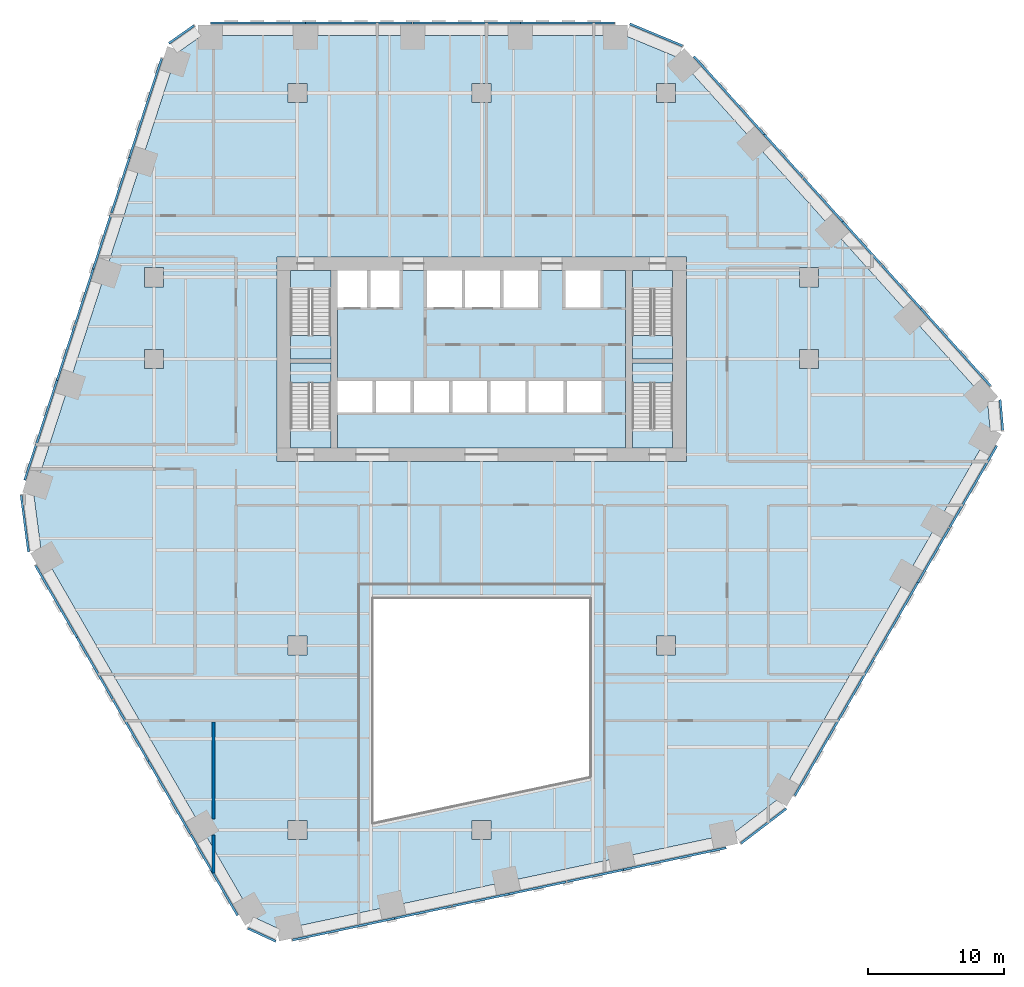
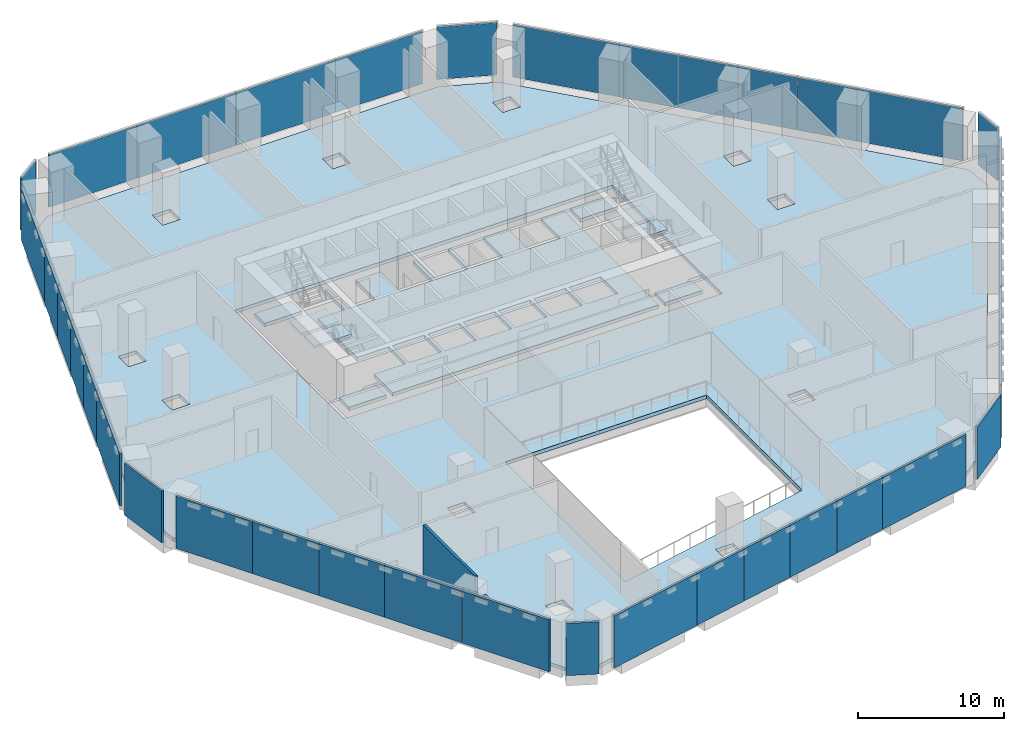
# One storey, part 13 of 19: 38 plates, 10 slabs, 2 walls, 16 elements without a shape of their own.
"""IFC4 building model written with IfcOpenShell, lengths in metres."""

import ifcopenshell
import ifcopenshell.guid

model = None  # the IFC model being written
_history = None  # IfcOwnerHistory: only IFC2X3 demands one
_inside = {}  # id of a spatial element -> (the spatial element, [elements in it])
_under = {}  # id of a project, library or spatial element -> (it, [spatial elements below it])
_declared = {}  # id of a project -> (the project, [libraries it declares])
_typed = {}  # id of a type object -> (the type object, [elements of that type])
_made_of = {}  # id of a material, layer set ... -> (it, [elements and type objects made of it])


def new_model(schema):
    """Start an empty IFC model of exactly this schema.

    Asked for "IFC4X3", IfcOpenShell would pick the latest addendum, in which some entities
    have other attributes; the version numbers below select the first issue.
    IFC2X3 requires an IfcOwnerHistory on every rooted entity: one is made here for all.
    """
    global model, _history
    if schema == "IFC4X3":
        model = ifcopenshell.file(schema_version=(4, 3, 0, 0))
    else:
        model = ifcopenshell.file(schema=schema)
    _inside.clear()
    _under.clear()
    _declared.clear()
    _typed.clear()
    _made_of.clear()
    _history = None
    if model.schema == "IFC2X3":
        org = make("IfcOrganization", Name="unknown")
        user = make(
            "IfcPersonAndOrganization",
            ThePerson=make("IfcPerson", FamilyName="unknown"),
            TheOrganization=org,
        )
        app = make(
            "IfcApplication",
            ApplicationDeveloper=org,
            Version="unknown",
            ApplicationFullName="unknown",
            ApplicationIdentifier="unknown",
        )
        _history = make(
            "IfcOwnerHistory",
            OwningUser=user,
            OwningApplication=app,
            ChangeAction="ADDED",
            CreationDate=0,
        )
    return model


def make(cls, **values):
    """One entity of the class cls with the attributes given. An attribute that is None is left unset."""
    return model.create_entity(
        cls, **{name: value for name, value in values.items() if value is not None}
    )


def rooted(cls, **values):
    """An entity with a GlobalId (a new one), such as an element, a storey or a relation."""
    return make(cls, GlobalId=ifcopenshell.guid.new(), OwnerHistory=_history, **values)


def si_unit(unit_type, name, prefix=None):
    """IfcSIUnit, for example si_unit("LENGTHUNIT", "METRE", prefix="MILLI")."""
    return make("IfcSIUnit", UnitType=unit_type, Prefix=prefix, Name=name)


def assignment(units):
    """IfcUnitAssignment: the units of a project."""
    return None if units is None else make("IfcUnitAssignment", Units=units)


def point(xyz):
    """IfcCartesianPoint."""
    return None if xyz is None else make("IfcCartesianPoint", Coordinates=xyz)


def direction(xyz):
    """IfcDirection."""
    return None if xyz is None else make("IfcDirection", DirectionRatios=xyz)


def frame(location, z_axis=None, x_axis=None):
    """IfcAxis2Placement3D, a coordinate frame: its origin and axes. An axis left out is left unset."""
    return make(
        "IfcAxis2Placement3D",
        Location=point(location),
        Axis=direction(z_axis),
        RefDirection=direction(x_axis),
    )


def frame_2d(location, x_axis=None):
    """IfcAxis2Placement2D, a coordinate frame in the plane: its origin and x axis."""
    return make(
        "IfcAxis2Placement2D", Location=point(location), RefDirection=direction(x_axis)
    )


def origin():
    """The frame at (0, 0, 0) with its axes left unset."""
    return frame((0.0, 0.0, 0.0))


def origin_2d():
    """The frame at (0, 0) in the plane with its x axis left unset."""
    return frame_2d((0.0, 0.0))


def place(relative_to, where):
    """IfcLocalPlacement: puts the frame where relative to a parent placement (None: the world)."""
    return make(
        "IfcLocalPlacement", PlacementRelTo=relative_to, RelativePlacement=where
    )


def context(
    kind, dimensions, precision=None, world=None, true_north=None, identifier=None
):
    """IfcGeometricRepresentationContext, for example the 3D "Model" context."""
    return make(
        "IfcGeometricRepresentationContext",
        ContextIdentifier=identifier,
        ContextType=kind,
        CoordinateSpaceDimension=dimensions,
        Precision=precision,
        WorldCoordinateSystem=world,
        TrueNorth=true_north,
    )


def subcontext(parent, identifier, kind, view, scale=None):
    """IfcGeometricRepresentationSubContext, for example "Body" below "Model"."""
    return make(
        "IfcGeometricRepresentationSubContext",
        ContextIdentifier=identifier,
        ContextType=kind,
        ParentContext=parent,
        TargetScale=scale,
        TargetView=view,
    )


def project(units=None, contexts=None):
    """IfcProject with its units and contexts."""
    return rooted(
        "IfcProject",
        Name="project",
        RepresentationContexts=contexts,
        UnitsInContext=assignment(units),
    )


def spatial(cls, under=None, at=None, **own):
    """A site, building, storey or space (cls), placed at a placement, below another one or the project."""
    s = rooted(cls, ObjectPlacement=at, **own)
    if under is not None:
        _under.setdefault(under.id(), (under, []))[1].append(s)
    return s


def polyline(points):
    """IfcPolyline through the points."""
    return make("IfcPolyline", Points=[point(p) for p in points])


def profile(cls, at=None, kind="AREA", **sizes):
    """A parametric profile (cls). Its sizes go by their IFC names, for example OverallWidth=200.0."""
    return make(cls, ProfileType=kind, Position=at, **sizes)


def rectangle(**sizes):
    """IfcRectangleProfileDef."""
    return profile("IfcRectangleProfileDef", **sizes)


def outline(outer, holes=None, kind="AREA"):
    """IfcArbitraryClosedProfileDef: a profile drawn as a closed curve; with holes, ...WithVoids."""
    if holes is None:
        return make("IfcArbitraryClosedProfileDef", ProfileType=kind, OuterCurve=outer)
    return make(
        "IfcArbitraryProfileDefWithVoids",
        ProfileType=kind,
        OuterCurve=outer,
        InnerCurves=holes,
    )


def extrude(swept, where, along, depth):
    """IfcExtrudedAreaSolid: the profile swept, set in the frame where, extruded along a direction by depth."""
    return make(
        "IfcExtrudedAreaSolid",
        SweptArea=swept,
        Position=where,
        ExtrudedDirection=direction(along),
        Depth=depth,
    )


def shape(context_of_items, identifier, shape_type, items):
    """IfcShapeRepresentation: the items that make up one representation, for example the "Body"."""
    return make(
        "IfcShapeRepresentation",
        ContextOfItems=context_of_items,
        RepresentationIdentifier=identifier,
        RepresentationType=shape_type,
        Items=items,
    )


def material(Name=None, Category=None):
    """IfcMaterial."""
    return make("IfcMaterial", Name=Name, Category=Category)


def layer(
    of_material, thickness, ventilated=None, Name=None, Category=None, Priority=None
):
    """IfcMaterialLayer: one layer of a wall or slab, of a material (None: an air gap)."""
    return make(
        "IfcMaterialLayer",
        Material=of_material,
        LayerThickness=thickness,
        IsVentilated=ventilated,
        Name=Name,
        Category=Category,
        Priority=Priority,
    )


def layer_set(layers, Name=None):
    """IfcMaterialLayerSet."""
    return make("IfcMaterialLayerSet", MaterialLayers=layers, LayerSetName=Name)


def made_of(thing, what):
    """Note that an element or type object is made of a material, layer set ...; save() writes the relation."""
    if what is not None:
        _made_of.setdefault(what.id(), (what, []))[1].append(thing)
    return thing


def type_object(cls, material=None, **own):
    """A type object (cls), such as IfcWallType, which elements share."""
    return made_of(rooted(cls, **own), material)


def element(
    cls,
    number,
    at=None,
    inside=None,
    cuts=None,
    type_object=None,
    material=None,
    context=None,
    identifier="Body",
    shape_type=None,
    held_by="IfcProductDefinitionShape",
    body=None,
    shapes=None,
    **own,
):
    """One element of the class cls, such as IfcWall. Its Tag is "e" and its number.

    at: its placement. inside: the storey or other place that contains it. cuts: it is an
    opening in that element (IfcRelVoidsElement). A single representation is given by context,
    identifier, shape_type and body (its items); several are given by shapes. held_by: the class
    of the entity that holds the representations. save() writes the other relations.
    """
    e = rooted(cls, Tag="e%d" % number, ObjectPlacement=at, **own)
    if body is not None:
        shapes = [shape(context, identifier, shape_type, body)]
    if shapes is not None:
        e.Representation = make(held_by, Representations=shapes)
    if inside is not None:
        _inside.setdefault(inside.id(), (inside, []))[1].append(e)
    if cuts is not None:
        rooted(
            "IfcRelVoidsElement", RelatingBuildingElement=cuts, RelatedOpeningElement=e
        )
    if type_object is not None:
        _typed.setdefault(type_object.id(), (type_object, []))[1].append(e)
    return made_of(e, material)


def aggregate(whole, parts):
    """IfcRelAggregates: a whole, such as a stair, and the parts it consists of."""
    return rooted("IfcRelAggregates", RelatingObject=whole, RelatedObjects=parts)


def save(model, path):
    """Write the relations noted so far, then the file.

    IfcRelAggregates (storeys below a building ...), IfcRelContainedInSpatialStructure (elements
    in a storey), IfcRelDefinesByType, IfcRelAssociatesMaterial and IfcRelDeclares: one each for
    every whole, place, type object, material and project.
    """
    for whole, parts in _under.values():
        aggregate(whole, parts)
    for where, things in _inside.values():
        rooted(
            "IfcRelContainedInSpatialStructure",
            RelatedElements=things,
            RelatingStructure=where,
        )
    for kind, things in _typed.values():
        rooted("IfcRelDefinesByType", RelatedObjects=things, RelatingType=kind)
    for what, things in _made_of.values():
        rooted("IfcRelAssociatesMaterial", RelatedObjects=things, RelatingMaterial=what)
    for by, libraries in _declared.values():
        rooted("IfcRelDeclares", RelatingContext=by, RelatedDefinitions=libraries)
    model.write(path)


model = new_model("IFC4")

# Units and contexts
model_context = context("Model", 3, precision=1e-05, world=origin(), true_north=direction((0.0, 1.0)))
body_context = subcontext(model_context, "Body", "Model", "MODEL_VIEW")
ifc_project = project(units=[si_unit("LENGTHUNIT", "METRE"), si_unit("AREAUNIT", "SQUARE_METRE"), si_unit("VOLUMEUNIT", "CUBIC_METRE"), si_unit("PLANEANGLEUNIT", "RADIAN"), si_unit("MASSUNIT", "GRAM", prefix="KILO")], contexts=[model_context])

# Site, building, storey
site_placement = place(None, origin())
site = spatial("IfcSite", under=ifc_project, at=site_placement, CompositionType="ELEMENT")
building_placement = place(site_placement, origin())
building = spatial("IfcBuilding", under=site, at=building_placement, Name="Isthmus Gate Tower", CompositionType="ELEMENT")
storey_placement = place(building_placement, frame((0.0, 0.0, 76.14990234375)))
storey = spatial("IfcBuildingStorey", under=building, at=storey_placement, Name="L17", CompositionType="ELEMENT", Elevation=76.14990234375)

# Slabs
ifc_material_1 = material(Name="Concrete f'c 40 MPa", Category="concrete")
ifc_layer_1 = layer(ifc_material_1, 0.300048828125)
ifc_layer_set_1 = layer_set([ifc_layer_1], Name="CORE FLOOR SLAB 300")
slab_type_1 = type_object("IfcSlabType", Name="CORE FLOOR SLAB 300", PredefinedType="FLOOR", material=ifc_layer_set_1)
slab_1_placement = place(storey_placement, frame((0.0, 0.0, -0.2998046875)))
element("IfcSlab", 1, at=slab_1_placement, inside=storey, type_object=slab_type_1, Name="L17 core floor", PredefinedType="FLOOR", context=body_context, shape_type="SweptSolid", body=[
    extrude(outline(polyline([(-11.050048828125, 1.0), (-11.050048828125, 2.402099609375), (-14.0, 2.402099609375), (-14.0, 1.0), (-11.050048828125, 1.0)])), origin(), (0.0, 0.0, 1.0), 0.2998046875),
])
slab_2_placement = place(storey_placement, frame((0.0, 0.0, -0.2998046875)))
element("IfcSlab", 2, at=slab_2_placement, inside=storey, type_object=slab_type_1, Name="L17 core floor", PredefinedType="FLOOR", context=body_context, shape_type="SweptSolid", body=[
    extrude(outline(polyline([(-14.0, 14.0), (-14.0, 12.597900390625), (-11.050048828125, 12.597900390625), (-11.050048828125, 14.0), (-14.0, 14.0)])), origin(), (0.0, 0.0, 1.0), 0.2998046875),
])
slab_3_placement = place(storey_placement, frame((0.0, 0.0, -0.2998046875)))
element("IfcSlab", 3, at=slab_3_placement, inside=storey, type_object=slab_type_1, Name="L17 core floor", PredefinedType="FLOOR", context=body_context, shape_type="SweptSolid", body=[
    extrude(outline(polyline([(10.550048828125, 14.0), (8.699951171875, 14.0), (8.699951171875, 11.300048828125), (6.14990234375, 11.300048828125), (6.14990234375, 14.0), (4.14990234375, 14.0), (4.14990234375, 11.300048828125), (1.60009765625, 11.300048828125), (1.60009765625, 14.0), (1.35009765625, 14.0), (1.35009765625, 11.300048828125), (-1.199951171875, 11.300048828125), (-1.199951171875, 14.0), (-1.449951171875, 14.0), (-1.449951171875, 11.300048828125), (-4.0, 11.300048828125), (-4.0, 14.0), (-6.0, 14.0), (-6.0, 11.300048828125), (-8.14990234375, 11.300048828125), (-8.14990234375, 14.0), (-8.39990234375, 14.0), (-8.39990234375, 11.300048828125), (-10.550048828125, 11.300048828125), (-10.550048828125, 5.89990234375), (-8.0, 5.89990234375), (-8.0, 3.60009765625), (-10.550048828125, 3.60009765625), (-10.550048828125, 1.0), (10.550048828125, 1.0), (10.550048828125, 14.0)]), holes=[polyline([(-5.199951171875, 5.89990234375), (-5.199951171875, 3.60009765625), (-7.75, 3.60009765625), (-7.75, 5.89990234375), (-5.199951171875, 5.89990234375)]), polyline([(-2.39990234375, 5.89990234375), (-2.39990234375, 3.60009765625), (-4.949951171875, 3.60009765625), (-4.949951171875, 5.89990234375), (-2.39990234375, 5.89990234375)]), polyline([(0.39990234375, 5.89990234375), (0.39990234375, 3.60009765625), (-2.14990234375, 3.60009765625), (-2.14990234375, 5.89990234375), (0.39990234375, 5.89990234375)]), polyline([(3.199951171875, 5.89990234375), (3.199951171875, 3.60009765625), (0.64990234375, 3.60009765625), (0.64990234375, 5.89990234375), (3.199951171875, 5.89990234375)]), polyline([(6.0, 5.89990234375), (6.0, 3.60009765625), (3.449951171875, 3.60009765625), (3.449951171875, 5.89990234375), (6.0, 5.89990234375)]), polyline([(8.800048828125, 5.89990234375), (8.800048828125, 3.60009765625), (6.25, 3.60009765625), (6.25, 5.89990234375), (8.800048828125, 5.89990234375)])]), origin(), (0.0, 0.0, 1.0), 0.2998046875),
])
slab_4_placement = place(storey_placement, frame((0.0, 0.0, -0.2998046875)))
element("IfcSlab", 4, at=slab_4_placement, inside=storey, type_object=slab_type_1, Name="L17 core floor", PredefinedType="FLOOR", context=body_context, shape_type="SweptSolid", body=[
    extrude(outline(polyline([(14.0, 1.0), (14.0, 2.402099609375), (11.050048828125, 2.402099609375), (11.050048828125, 1.0), (14.0, 1.0)])), origin(), (0.0, 0.0, 1.0), 0.2998046875),
])
slab_5_placement = place(storey_placement, frame((0.0, 0.0, -0.2998046875)))
element("IfcSlab", 5, at=slab_5_placement, inside=storey, type_object=slab_type_1, Name="L17 core floor", PredefinedType="FLOOR", context=body_context, shape_type="SweptSolid", body=[
    extrude(outline(polyline([(11.050048828125, 14.0), (11.050048828125, 12.597900390625), (14.0, 12.597900390625), (14.0, 14.0), (11.050048828125, 14.0)])), origin(), (0.0, 0.0, 1.0), 0.2998046875),
])

# Curtain wall, plates
ifc_material_2 = material(Name="Aluminium, pale champagne anodised", Category="aluminium")
ifc_layer_2 = layer(ifc_material_2, 0.199951171875)
ifc_layer_set_2 = layer_set([ifc_layer_2], Name="CW-2 LOUVRE CURTAIN WALL 200 DEEP")
curtain_wall_type = type_object("IfcCurtainWallType", Name="CW-2 LOUVRE CURTAIN WALL 200 DEEP", PredefinedType="NOTDEFINED", material=ifc_layer_set_2)
curtain_wall_1_placement = place(storey_placement, origin())
curtain_wall_1 = element("IfcCurtainWall", 6, at=curtain_wall_1_placement, inside=storey, type_object=curtain_wall_type, Name="CW-2 N L17", PredefinedType="NOTDEFINED")
ifc_material_3 = material(Name="Aluminium louvre blades, pale champagne anodised", Category="aluminium")
ifc_layer_3 = layer(ifc_material_3, 0.159912109375)
ifc_layer_set_3 = layer_set([ifc_layer_3], Name="CW-2 LOUVRE PANEL 160")
plate_type = type_object("IfcPlateType", Name="CW-2 LOUVRE PANEL 160", PredefinedType="CURTAIN_PANEL", material=ifc_layer_set_3)
plate_1_placement = place(storey_placement, frame((6.287109375, 32.1201171875, 0.000244140625), z_axis=(0.0, 0.0, 1.0), x_axis=(-1.0, 0.0, 0.0)))
plate_1 = element("IfcPlate", 7, at=plate_1_placement, type_object=plate_type, Name="CW-2 louvre panel", PredefinedType="CURTAIN_PANEL", context=body_context, shape_type="SweptSolid", body=[
    extrude(rectangle(XDim=6.909423828125, YDim=0.159912109375, at=origin_2d()), origin(), (0.0, 0.0, 1.0), 4.3798828125),
])
plate_2_placement = place(storey_placement, frame((-1.1025390625, 32.1201171875, 0.000244140625), z_axis=(0.0, 0.0, 1.0), x_axis=(-1.0, 0.0, 0.0)))
plate_2 = element("IfcPlate", 8, at=plate_2_placement, type_object=plate_type, Name="CW-2 louvre panel", PredefinedType="CURTAIN_PANEL", context=body_context, shape_type="SweptSolid", body=[
    extrude(rectangle(XDim=7.86962890625, YDim=0.159912109375, at=origin_2d()), origin(), (0.0, 0.0, 1.0), 4.3798828125),
])
plate_3_placement = place(storey_placement, frame((-9.001953125, 32.1201171875, 0.000244140625), z_axis=(0.0, 0.0, 1.0), x_axis=(-1.0, 0.0, 0.0)))
plate_3 = element("IfcPlate", 9, at=plate_3_placement, type_object=plate_type, Name="CW-2 louvre panel", PredefinedType="CURTAIN_PANEL", context=body_context, shape_type="SweptSolid", body=[
    extrude(rectangle(XDim=7.8095703125, YDim=0.159912109375, at=origin_2d()), origin(), (0.0, 0.0, 1.0), 4.3798828125),
])
plate_4_placement = place(storey_placement, frame((-16.391357421875, 32.1201171875, 0.000244140625), z_axis=(0.0, 0.0, 1.0), x_axis=(-1.0, 0.0, 0.0)))
plate_4 = element("IfcPlate", 10, at=plate_4_placement, type_object=plate_type, Name="CW-2 louvre panel", PredefinedType="CURTAIN_PANEL", context=body_context, shape_type="SweptSolid", body=[
    extrude(rectangle(XDim=6.969482421875, YDim=0.159912109375, at=origin_2d()), origin(), (0.0, 0.0, 1.0), 4.3798828125),
])
aggregate(curtain_wall_1, [plate_1, plate_2, plate_3, plate_4])

# Curtain wall, plate
curtain_wall_2_placement = place(storey_placement, origin())
curtain_wall_2 = element("IfcCurtainWall", 11, at=curtain_wall_2_placement, inside=storey, type_object=curtain_wall_type, Name="CW-2 N-NW L17", PredefinedType="NOTDEFINED")
plate_5_placement = place(storey_placement, frame((-21.990478515625, 31.29248046875, 0.000244140625), z_axis=(0.0, 0.0, 1.0), x_axis=(-0.81785959165, -0.57541783805, 0.0)))
plate_5 = element("IfcPlate", 12, at=plate_5_placement, type_object=plate_type, Name="CW-2 louvre panel", PredefinedType="CURTAIN_PANEL", context=body_context, shape_type="SweptSolid", body=[
    extrude(rectangle(XDim=2.258544921875, YDim=0.159912109375, at=origin_2d()), origin(), (0.0, 0.0, 1.0), 4.3798828125),
])
aggregate(curtain_wall_2, [plate_5])

# Curtain wall, plates
curtain_wall_3_placement = place(storey_placement, origin())
curtain_wall_3 = element("IfcCurtainWall", 13, at=curtain_wall_3_placement, inside=storey, type_object=curtain_wall_type, Name="CW-2 NW L17", PredefinedType="NOTDEFINED")
plate_6_placement = place(storey_placement, frame((-24.61865234375, 25.9111328125, 0.000244140625), z_axis=(0.0, 0.0, 1.0), x_axis=(-0.309016994375, -0.951056516295, 0.0)))
plate_6 = element("IfcPlate", 14, at=plate_6_placement, type_object=plate_type, Name="CW-2 louvre panel", PredefinedType="CURTAIN_PANEL", context=body_context, shape_type="SweptSolid", body=[
    extrude(rectangle(XDim=7.62939453125, YDim=0.159912109375, at=origin_2d()), origin(), (0.0, 0.0, 1.0), 4.3798828125),
])
plate_7_placement = place(storey_placement, frame((-26.4609375, 20.24072265625, 0.000244140625), z_axis=(0.0, 0.0, 1.0), x_axis=(-0.309016994375, -0.951056516295, 0.0)))
plate_7 = element("IfcPlate", 15, at=plate_7_placement, type_object=plate_type, Name="CW-2 louvre panel", PredefinedType="CURTAIN_PANEL", context=body_context, shape_type="SweptSolid", body=[
    extrude(rectangle(XDim=4.294677734375, YDim=0.159912109375, at=origin_2d()), origin(), (0.0, 0.0, 1.0), 4.3798828125),
])
plate_8_placement = place(storey_placement, frame((-27.79736328125, 16.1279296875, 0.000244140625), z_axis=(0.0, 0.0, 1.0), x_axis=(-0.309016994375, -0.951056516295, 0.0)))
plate_8 = element("IfcPlate", 16, at=plate_8_placement, type_object=plate_type, Name="CW-2 louvre panel", PredefinedType="CURTAIN_PANEL", context=body_context, shape_type="SweptSolid", body=[
    extrude(rectangle(XDim=4.234619140625, YDim=0.159912109375, at=origin_2d()), origin(), (0.0, 0.0, 1.0), 4.3798828125),
])
plate_9_placement = place(storey_placement, frame((-29.115234375, 12.07177734375, 0.000244140625), z_axis=(0.0, 0.0, 1.0), x_axis=(-0.309016994375, -0.951056516295, 0.0)))
plate_9 = element("IfcPlate", 17, at=plate_9_placement, type_object=plate_type, Name="CW-2 louvre panel", PredefinedType="CURTAIN_PANEL", context=body_context, shape_type="SweptSolid", body=[
    extrude(rectangle(XDim=4.294677734375, YDim=0.159912109375, at=origin_2d()), origin(), (0.0, 0.0, 1.0), 4.3798828125),
])
plate_10_placement = place(storey_placement, frame((-30.45166015625, 7.958984375, 0.000244140625), z_axis=(0.0, 0.0, 1.0), x_axis=(-0.309016994375, -0.951056516295, 0.0)))
plate_10 = element("IfcPlate", 18, at=plate_10_placement, type_object=plate_type, Name="CW-2 louvre panel", PredefinedType="CURTAIN_PANEL", context=body_context, shape_type="SweptSolid", body=[
    extrude(rectangle(XDim=4.234619140625, YDim=0.159912109375, at=origin_2d()), origin(), (0.0, 0.0, 1.0), 4.3798828125),
])
plate_11_placement = place(storey_placement, frame((-32.2939453125, 2.28857421875, 0.000244140625), z_axis=(0.0, 0.0, 1.0), x_axis=(-0.309016994375, -0.951056516295, 0.0)))
plate_11 = element("IfcPlate", 19, at=plate_11_placement, type_object=plate_type, Name="CW-2 louvre panel", PredefinedType="CURTAIN_PANEL", context=body_context, shape_type="SweptSolid", body=[
    extrude(rectangle(XDim=7.689453125, YDim=0.159912109375, at=origin_2d()), origin(), (0.0, 0.0, 1.0), 4.3798828125),
])
aggregate(curtain_wall_3, [plate_6, plate_7, plate_8, plate_9, plate_10, plate_11])

# Curtain wall, plate
curtain_wall_4_placement = place(storey_placement, origin())
curtain_wall_4 = element("IfcCurtainWall", 20, at=curtain_wall_4_placement, inside=storey, type_object=curtain_wall_type, Name="CW-2 NW-SW L17", PredefinedType="NOTDEFINED")
plate_12_placement = place(storey_placement, frame((-33.468994140625, -4.550537109375, 0.000244140625), z_axis=(0.0, 0.0, 1.0), x_axis=(0.129164534, -0.991623175988, 0.0)))
plate_12 = element("IfcPlate", 21, at=plate_12_placement, type_object=plate_type, Name="CW-2 louvre panel", PredefinedType="CURTAIN_PANEL", context=body_context, shape_type="SweptSolid", body=[
    extrude(rectangle(XDim=4.181396484375, YDim=0.159912109375, at=origin_2d()), origin(), (0.0, 0.0, 1.0), 4.3798828125),
])
aggregate(curtain_wall_4, [plate_12])

# Curtain wall, plates
curtain_wall_5_placement = place(storey_placement, origin())
curtain_wall_5 = element("IfcCurtainWall", 22, at=curtain_wall_5_placement, inside=storey, type_object=curtain_wall_type, Name="CW-2 SW L17", PredefinedType="NOTDEFINED")
plate_13_placement = place(storey_placement, frame((-31.169189453125, -10.253173828125, 0.000244140625), z_axis=(0.0, 0.0, 1.0), x_axis=(0.5, -0.866025403784, 0.0)))
plate_13 = element("IfcPlate", 23, at=plate_13_placement, type_object=plate_type, Name="CW-2 louvre panel", PredefinedType="CURTAIN_PANEL", context=body_context, shape_type="SweptSolid", body=[
    extrude(rectangle(XDim=6.07373046875, YDim=0.159912109375, at=origin_2d()), origin(), (0.0, 0.0, 1.0), 4.3798828125),
])
plate_14_placement = place(storey_placement, frame((-28.342529296875, -15.1494140625, 0.000244140625), z_axis=(0.0, 0.0, 1.0), x_axis=(0.5, -0.866025403784, 0.0)))
plate_14 = element("IfcPlate", 24, at=plate_14_placement, type_object=plate_type, Name="CW-2 louvre panel", PredefinedType="CURTAIN_PANEL", context=body_context, shape_type="SweptSolid", body=[
    extrude(rectangle(XDim=5.233642578125, YDim=0.159912109375, at=origin_2d()), origin(), (0.0, 0.0, 1.0), 4.3798828125),
])
plate_15_placement = place(storey_placement, frame((-25.710693359375, -19.707763671875, 0.000244140625), z_axis=(0.0, 0.0, 1.0), x_axis=(0.5, -0.866025403784, 0.0)))
plate_15 = element("IfcPlate", 25, at=plate_15_placement, type_object=plate_type, Name="CW-2 louvre panel", PredefinedType="CURTAIN_PANEL", context=body_context, shape_type="SweptSolid", body=[
    extrude(rectangle(XDim=5.173583984375, YDim=0.159912109375, at=origin_2d()), origin(), (0.0, 0.0, 1.0), 4.3798828125),
])
plate_16_placement = place(storey_placement, frame((-22.8837890625, -24.60400390625, 0.000244140625), z_axis=(0.0, 0.0, 1.0), x_axis=(0.5, -0.866025403784, 0.0)))
plate_16 = element("IfcPlate", 26, at=plate_16_placement, type_object=plate_type, Name="CW-2 louvre panel", PredefinedType="CURTAIN_PANEL", context=body_context, shape_type="SweptSolid", body=[
    extrude(rectangle(XDim=6.133544921875, YDim=0.159912109375, at=origin_2d()), origin(), (0.0, 0.0, 1.0), 4.3798828125),
])
plate_17_placement = place(storey_placement, frame((-19.599609375, -30.292724609375, 0.000244140625), z_axis=(0.0, 0.0, 1.0), x_axis=(0.5, -0.866025403784, 0.0)))
plate_17 = element("IfcPlate", 27, at=plate_17_placement, type_object=plate_type, Name="CW-2 louvre panel", PredefinedType="CURTAIN_PANEL", context=body_context, shape_type="SweptSolid", body=[
    extrude(rectangle(XDim=6.883544921875, YDim=0.159912109375, at=origin_2d()), origin(), (0.0, 0.0, 1.0), 4.3798828125),
])
aggregate(curtain_wall_5, [plate_13, plate_14, plate_15, plate_16, plate_17])

# Curtain wall, plate
curtain_wall_6_placement = place(storey_placement, origin())
curtain_wall_6 = element("IfcCurtainWall", 28, at=curtain_wall_6_placement, inside=storey, type_object=curtain_wall_type, Name="CW-2 SW-S L17", PredefinedType="NOTDEFINED")
plate_18_placement = place(storey_placement, frame((-16.104736328125, -34.690673828125, 0.000244140625), z_axis=(0.0, 0.0, 1.0), x_axis=(0.907256261367, -0.420578264073, 0.0)))
plate_18 = element("IfcPlate", 29, at=plate_18_placement, type_object=plate_type, Name="CW-2 louvre panel", PredefinedType="CURTAIN_PANEL", context=body_context, shape_type="SweptSolid", body=[
    extrude(rectangle(XDim=2.258544921875, YDim=0.159912109375, at=origin_2d()), origin(), (0.0, 0.0, 1.0), 4.3798828125),
])
aggregate(curtain_wall_6, [plate_18])

# Curtain wall, plates
curtain_wall_7_placement = place(storey_placement, origin())
curtain_wall_7 = element("IfcCurtainWall", 30, at=curtain_wall_7_placement, inside=storey, type_object=curtain_wall_type, Name="CW-2 S L17", PredefinedType="NOTDEFINED")
plate_19_placement = place(storey_placement, frame((-10.13037109375, -34.27587890625, 0.000244140625), z_axis=(0.0, 0.0, 1.0), x_axis=(0.978147600734, 0.207911690818, 0.0)))
plate_19 = element("IfcPlate", 31, at=plate_19_placement, type_object=plate_type, Name="CW-2 louvre panel", PredefinedType="CURTAIN_PANEL", context=body_context, shape_type="SweptSolid", body=[
    extrude(rectangle(XDim=7.62939453125, YDim=0.159912109375, at=origin_2d()), origin(), (0.0, 0.0, 1.0), 4.3798828125),
])
plate_20_placement = place(storey_placement, frame((-4.298583984375, -33.036376953125, 0.000244140625), z_axis=(0.0, 0.0, 1.0), x_axis=(0.978147600734, 0.207911690818, 0.0)))
plate_20 = element("IfcPlate", 32, at=plate_20_placement, type_object=plate_type, Name="CW-2 louvre panel", PredefinedType="CURTAIN_PANEL", context=body_context, shape_type="SweptSolid", body=[
    extrude(rectangle(XDim=4.294677734375, YDim=0.159912109375, at=origin_2d()), origin(), (0.0, 0.0, 1.0), 4.3798828125),
])
plate_21_placement = place(storey_placement, frame((-0.068359375, -32.13720703125, 0.000244140625), z_axis=(0.0, 0.0, 1.0), x_axis=(0.978147600734, 0.207911690818, 0.0)))
plate_21 = element("IfcPlate", 33, at=plate_21_placement, type_object=plate_type, Name="CW-2 louvre panel", PredefinedType="CURTAIN_PANEL", context=body_context, shape_type="SweptSolid", body=[
    extrude(rectangle(XDim=4.234619140625, YDim=0.159912109375, at=origin_2d()), origin(), (0.0, 0.0, 1.0), 4.3798828125),
])
plate_22_placement = place(storey_placement, frame((4.10302734375, -31.25048828125, 0.000244140625), z_axis=(0.0, 0.0, 1.0), x_axis=(0.978147600734, 0.207911690818, 0.0)))
plate_22 = element("IfcPlate", 34, at=plate_22_placement, type_object=plate_type, Name="CW-2 louvre panel", PredefinedType="CURTAIN_PANEL", context=body_context, shape_type="SweptSolid", body=[
    extrude(rectangle(XDim=4.294677734375, YDim=0.159912109375, at=origin_2d()), origin(), (0.0, 0.0, 1.0), 4.3798828125),
])
plate_23_placement = place(storey_placement, frame((8.333251953125, -30.351318359375, 0.000244140625), z_axis=(0.0, 0.0, 1.0), x_axis=(0.978147600734, 0.207911690818, 0.0)))
plate_23 = element("IfcPlate", 35, at=plate_23_placement, type_object=plate_type, Name="CW-2 louvre panel", PredefinedType="CURTAIN_PANEL", context=body_context, shape_type="SweptSolid", body=[
    extrude(rectangle(XDim=4.234619140625, YDim=0.159912109375, at=origin_2d()), origin(), (0.0, 0.0, 1.0), 4.3798828125),
])
plate_24_placement = place(storey_placement, frame((14.1650390625, -29.11181640625, 0.000244140625), z_axis=(0.0, 0.0, 1.0), x_axis=(0.978147600734, 0.207911690818, 0.0)))
plate_24 = element("IfcPlate", 36, at=plate_24_placement, type_object=plate_type, Name="CW-2 louvre panel", PredefinedType="CURTAIN_PANEL", context=body_context, shape_type="SweptSolid", body=[
    extrude(rectangle(XDim=7.689453125, YDim=0.159912109375, at=origin_2d()), origin(), (0.0, 0.0, 1.0), 4.3798828125),
])
aggregate(curtain_wall_7, [plate_19, plate_20, plate_21, plate_22, plate_23, plate_24])

# Curtain wall, plate
curtain_wall_8_placement = place(storey_placement, origin())
curtain_wall_8 = element("IfcCurtainWall", 37, at=curtain_wall_8_placement, inside=storey, type_object=curtain_wall_type, Name="CW-2 S-SE L17", PredefinedType="NOTDEFINED")
plate_25_placement = place(storey_placement, frame((20.67529296875, -26.709716796875, 0.000244140625), z_axis=(0.0, 0.0, 1.0), x_axis=(0.794188594387, 0.607671355706, 0.0)))
plate_25 = element("IfcPlate", 38, at=plate_25_placement, type_object=plate_type, Name="CW-2 louvre panel", PredefinedType="CURTAIN_PANEL", context=body_context, shape_type="SweptSolid", body=[
    extrude(rectangle(XDim=4.181396484375, YDim=0.159912109375, at=origin_2d()), origin(), (0.0, 0.0, 1.0), 4.3798828125),
])
aggregate(curtain_wall_8, [plate_25])

# Curtain wall, plates
curtain_wall_9_placement = place(storey_placement, origin())
curtain_wall_9 = element("IfcCurtainWall", 39, at=curtain_wall_9_placement, inside=storey, type_object=curtain_wall_type, Name="CW-2 SE L17", PredefinedType="NOTDEFINED")
plate_26_placement = place(storey_placement, frame((24.515380859375, -21.778076171875, 0.000244140625), z_axis=(0.0, 0.0, 1.0), x_axis=(0.5, 0.866025403784, 0.0)))
plate_26 = element("IfcPlate", 40, at=plate_26_placement, type_object=plate_type, Name="CW-2 louvre panel", PredefinedType="CURTAIN_PANEL", context=body_context, shape_type="SweptSolid", body=[
    extrude(rectangle(XDim=6.278564453125, YDim=0.159912109375, at=origin_2d()), origin(), (0.0, 0.0, 1.0), 4.3798828125),
])
plate_27_placement = place(storey_placement, frame((27.44482421875, -16.704345703125, 0.000244140625), z_axis=(0.0, 0.0, 1.0), x_axis=(0.5, 0.866025403784, 0.0)))
plate_27 = element("IfcPlate", 41, at=plate_27_placement, type_object=plate_type, Name="CW-2 louvre panel", PredefinedType="CURTAIN_PANEL", context=body_context, shape_type="SweptSolid", body=[
    extrude(rectangle(XDim=5.4384765625, YDim=0.159912109375, at=origin_2d()), origin(), (0.0, 0.0, 1.0), 4.3798828125),
])
plate_28_placement = place(storey_placement, frame((30.404052734375, -11.57861328125, 0.000244140625), z_axis=(0.0, 0.0, 1.0), x_axis=(0.5, 0.866025403784, 0.0)))
plate_28 = element("IfcPlate", 42, at=plate_28_placement, type_object=plate_type, Name="CW-2 louvre panel", PredefinedType="CURTAIN_PANEL", context=body_context, shape_type="SweptSolid", body=[
    extrude(rectangle(XDim=6.278564453125, YDim=0.159912109375, at=origin_2d()), origin(), (0.0, 0.0, 1.0), 4.3798828125),
])
plate_29_placement = place(storey_placement, frame((33.121826171875, -6.871337890625, 0.000244140625), z_axis=(0.0, 0.0, 1.0), x_axis=(0.5, 0.866025403784, 0.0)))
plate_29 = element("IfcPlate", 43, at=plate_29_placement, type_object=plate_type, Name="CW-2 louvre panel", PredefinedType="CURTAIN_PANEL", context=body_context, shape_type="SweptSolid", body=[
    extrude(rectangle(XDim=4.5927734375, YDim=0.159912109375, at=origin_2d()), origin(), (0.0, 0.0, 1.0), 4.3798828125),
])
plate_30_placement = place(storey_placement, frame((36.027587890625, -1.838623046875, 0.000244140625), z_axis=(0.0, 0.0, 1.0), x_axis=(0.5, 0.866025403784, 0.0)))
plate_30 = element("IfcPlate", 44, at=plate_30_placement, type_object=plate_type, Name="CW-2 louvre panel", PredefinedType="CURTAIN_PANEL", context=body_context, shape_type="SweptSolid", body=[
    extrude(rectangle(XDim=6.909423828125, YDim=0.159912109375, at=origin_2d()), origin(), (0.0, 0.0, 1.0), 4.3798828125),
])
aggregate(curtain_wall_9, [plate_26, plate_27, plate_28, plate_29, plate_30])

# Curtain wall, plate
curtain_wall_10_placement = place(storey_placement, origin())
curtain_wall_10 = element("IfcCurtainWall", 45, at=curtain_wall_10_placement, inside=storey, type_object=curtain_wall_type, Name="CW-2 SE-NE L17", PredefinedType="NOTDEFINED")
plate_31_placement = place(storey_placement, frame((38.09521484375, 3.398193359375, 0.000244140625), z_axis=(0.0, 0.0, 1.0), x_axis=(-0.089396669717, 0.995996102123, 0.0)))
plate_31 = element("IfcPlate", 46, at=plate_31_placement, type_object=plate_type, Name="CW-2 louvre panel", PredefinedType="CURTAIN_PANEL", context=body_context, shape_type="SweptSolid", body=[
    extrude(rectangle(XDim=2.258544921875, YDim=0.159912109375, at=origin_2d()), origin(), (0.0, 0.0, 1.0), 4.3798828125),
])
aggregate(curtain_wall_10, [plate_31])

# Curtain wall, plates
curtain_wall_11_placement = place(storey_placement, origin())
curtain_wall_11 = element("IfcCurtainWall", 47, at=curtain_wall_11_placement, inside=storey, type_object=curtain_wall_type, Name="CW-2 NE L17", PredefinedType="NOTDEFINED")
plate_32_placement = place(storey_placement, frame((34.7490234375, 8.364990234375, 0.000244140625), z_axis=(0.0, 0.0, 1.0), x_axis=(-0.669130606359, 0.743144825477, 0.0)))
plate_32 = element("IfcPlate", 48, at=plate_32_placement, type_object=plate_type, Name="CW-2 louvre panel", PredefinedType="CURTAIN_PANEL", context=body_context, shape_type="SweptSolid", body=[
    extrude(rectangle(XDim=7.62939453125, YDim=0.159912109375, at=origin_2d()), origin(), (0.0, 0.0, 1.0), 4.3798828125),
])
plate_33_placement = place(storey_placement, frame((30.759521484375, 12.79541015625, 0.000244140625), z_axis=(0.0, 0.0, 1.0), x_axis=(-0.669130606359, 0.743144825477, 0.0)))
plate_33 = element("IfcPlate", 49, at=plate_33_placement, type_object=plate_type, Name="CW-2 louvre panel", PredefinedType="CURTAIN_PANEL", context=body_context, shape_type="SweptSolid", body=[
    extrude(rectangle(XDim=4.294677734375, YDim=0.159912109375, at=origin_2d()), origin(), (0.0, 0.0, 1.0), 4.3798828125),
])
plate_34_placement = place(storey_placement, frame((27.86572265625, 16.00927734375, 0.000244140625), z_axis=(0.0, 0.0, 1.0), x_axis=(-0.669130606359, 0.743144825477, 0.0)))
plate_34 = element("IfcPlate", 50, at=plate_34_placement, type_object=plate_type, Name="CW-2 louvre panel", PredefinedType="CURTAIN_PANEL", context=body_context, shape_type="SweptSolid", body=[
    extrude(rectangle(XDim=4.234619140625, YDim=0.159912109375, at=origin_2d()), origin(), (0.0, 0.0, 1.0), 4.3798828125),
])
plate_35_placement = place(storey_placement, frame((25.01220703125, 19.1787109375, 0.000244140625), z_axis=(0.0, 0.0, 1.0), x_axis=(-0.669130606359, 0.743144825477, 0.0)))
plate_35 = element("IfcPlate", 51, at=plate_35_placement, type_object=plate_type, Name="CW-2 louvre panel", PredefinedType="CURTAIN_PANEL", context=body_context, shape_type="SweptSolid", body=[
    extrude(rectangle(XDim=4.294677734375, YDim=0.159912109375, at=origin_2d()), origin(), (0.0, 0.0, 1.0), 4.3798828125),
])
plate_36_placement = place(storey_placement, frame((22.118408203125, 22.392578125, 0.000244140625), z_axis=(0.0, 0.0, 1.0), x_axis=(-0.669130606359, 0.743144825477, 0.0)))
plate_36 = element("IfcPlate", 52, at=plate_36_placement, type_object=plate_type, Name="CW-2 louvre panel", PredefinedType="CURTAIN_PANEL", context=body_context, shape_type="SweptSolid", body=[
    extrude(rectangle(XDim=4.234619140625, YDim=0.159912109375, at=origin_2d()), origin(), (0.0, 0.0, 1.0), 4.3798828125),
])
plate_37_placement = place(storey_placement, frame((18.129150390625, 26.8232421875, 0.000244140625), z_axis=(0.0, 0.0, 1.0), x_axis=(-0.669130606359, 0.743144825477, 0.0)))
plate_37 = element("IfcPlate", 53, at=plate_37_placement, type_object=plate_type, Name="CW-2 louvre panel", PredefinedType="CURTAIN_PANEL", context=body_context, shape_type="SweptSolid", body=[
    extrude(rectangle(XDim=7.689453125, YDim=0.159912109375, at=origin_2d()), origin(), (0.0, 0.0, 1.0), 4.3798828125),
])
aggregate(curtain_wall_11, [plate_32, plate_33, plate_34, plate_35, plate_36, plate_37])

# Curtain wall, plate
curtain_wall_12_placement = place(storey_placement, origin())
curtain_wall_12 = element("IfcCurtainWall", 54, at=curtain_wall_12_placement, inside=storey, type_object=curtain_wall_type, Name="CW-2 NE-N L17", PredefinedType="NOTDEFINED")
plate_38_placement = place(storey_placement, frame((12.793701171875, 31.26025390625, 0.000244140625), z_axis=(0.0, 0.0, 1.0), x_axis=(-0.923353128387, 0.383951820282, 0.0)))
plate_38 = element("IfcPlate", 55, at=plate_38_placement, type_object=plate_type, Name="CW-2 louvre panel", PredefinedType="CURTAIN_PANEL", context=body_context, shape_type="SweptSolid", body=[
    extrude(rectangle(XDim=4.181396484375, YDim=0.159912109375, at=origin_2d()), origin(), (0.0, 0.0, 1.0), 4.3798828125),
])
aggregate(curtain_wall_12, [plate_38])

# Slab
ifc_material_4 = material(Name="Concrete f'c 40 MPa", Category="concrete")
ifc_layer_4 = layer(ifc_material_4, 0.300048828125)
ifc_layer_set_4 = layer_set([ifc_layer_4], Name="PLANT FLOOR SLAB 300")
slab_type_2 = type_object("IfcSlabType", Name="PLANT FLOOR SLAB 300", PredefinedType="FLOOR", material=ifc_layer_set_4)
slab_6_placement = place(storey_placement, frame((0.0, 0.0, -0.2998046875)))
element("IfcSlab", 56, at=slab_6_placement, inside=storey, type_object=slab_type_2, Name="str-slab-L17-1", PredefinedType="FLOOR", context=body_context, shape_type="SweptSolid", body=[
    extrude(outline(polyline([(14.391357421875, 29.599365234375), (37.081787109375, 4.399169921875), (37.281494140625, 2.17333984375), (21.748779296875, -24.729736328125), (18.438232421875, -27.262939453125), (-14.73095703125, -34.313232421875), (-16.758544921875, -33.373291015625), (-32.291015625, -6.47021484375), (-32.82958984375, -2.33642578125), (-22.3505859375, 29.9140625), (-20.52294921875, 31.199951171875), (10.542236328125, 31.199951171875), (14.391357421875, 29.599365234375)]), holes=[polyline([(-14.199951171875, -27.699951171875), (-12.800048828125, -27.699951171875), (-12.800048828125, -26.300048828125), (-14.199951171875, -26.300048828125), (-14.199951171875, -27.699951171875)]), polyline([(-0.699951171875, -26.300048828125), (-0.699951171875, -27.699951171875), (0.699951171875, -27.699951171875), (0.699951171875, -26.300048828125), (-0.699951171875, -26.300048828125)]), polyline([(-14.199951171875, -12.800048828125), (-14.199951171875, -14.199951171875), (-12.800048828125, -14.199951171875), (-12.800048828125, -12.800048828125), (-14.199951171875, -12.800048828125)]), polyline([(-24.699951171875, 8.199951171875), (-24.699951171875, 6.800048828125), (-23.300048828125, 6.800048828125), (-23.300048828125, 8.199951171875), (-24.699951171875, 8.199951171875)]), polyline([(-23.300048828125, 14.199951171875), (-24.699951171875, 14.199951171875), (-24.699951171875, 12.800048828125), (-23.300048828125, 12.800048828125), (-23.300048828125, 14.199951171875)]), polyline([(-14.199951171875, 27.699951171875), (-14.199951171875, 26.300048828125), (-12.800048828125, 26.300048828125), (-12.800048828125, 27.699951171875), (-14.199951171875, 27.699951171875)]), polyline([(-0.699951171875, 27.699951171875), (-0.699951171875, 26.300048828125), (0.699951171875, 26.300048828125), (0.699951171875, 27.699951171875), (-0.699951171875, 27.699951171875)]), polyline([(8.0, -23.143310546875), (8.0, -10.0), (-8.0, -10.0), (-8.0, -26.544189453125), (8.0, -23.143310546875)]), polyline([(14.199951171875, -12.800048828125), (12.800048828125, -12.800048828125), (12.800048828125, -14.199951171875), (14.199951171875, -14.199951171875), (14.199951171875, -12.800048828125)]), polyline([(15.0, 15.0), (-15.0, 15.0), (-15.0, 0.0), (15.0, 0.0), (15.0, 15.0)]), polyline([(24.699951171875, 8.199951171875), (23.300048828125, 8.199951171875), (23.300048828125, 6.800048828125), (24.699951171875, 6.800048828125), (24.699951171875, 8.199951171875)]), polyline([(23.300048828125, 14.199951171875), (23.300048828125, 12.800048828125), (24.699951171875, 12.800048828125), (24.699951171875, 14.199951171875), (23.300048828125, 14.199951171875)]), polyline([(14.199951171875, 27.699951171875), (12.800048828125, 27.699951171875), (12.800048828125, 26.300048828125), (14.199951171875, 26.300048828125), (14.199951171875, 27.699951171875)])]), origin(), (0.0, 0.0, 1.0), 0.2998046875),
])

# Stair, slab
ifc_material_5 = material(Name="Concrete f'c 40 MPa", Category="concrete")
stair_type = type_object("IfcStairType", Name="CORE STAIR 26 RISERS", PredefinedType="HALF_TURN_STAIR", material=ifc_material_5)
stair_1_placement = place(storey_placement, origin())
stair_1 = element("IfcStair", 57, at=stair_1_placement, inside=storey, type_object=stair_type, Name="L17 Exit Stair 1", PredefinedType="HALF_TURN_STAIR")
ifc_material_6 = material(Name="Concrete f'c 40 MPa", Category="concrete")
ifc_layer_5 = layer(ifc_material_6, 0.199951171875)
ifc_layer_set_5 = layer_set([ifc_layer_5])
slab_type_3 = type_object("IfcSlabType", Name="STAIR LANDING RC 200", PredefinedType="LANDING", material=ifc_layer_set_5)
slab_7_placement = place(storey_placement, frame((0.0, 0.0, 2.050048828125)))
slab_7 = element("IfcSlab", 58, at=slab_7_placement, type_object=slab_type_3, Name="ST1 landing 1", PredefinedType="LANDING", context=body_context, shape_type="SweptSolid", body=[
    extrude(outline(polyline([(-14.0, 9.239990234375), (-14.0, 7.5), (-11.050048828125, 7.5), (-11.050048828125, 9.239990234375), (-14.0, 9.239990234375)])), origin(), (0.0, 0.0, 1.0), 0.199951171875),
])
aggregate(stair_1, [slab_7])

stair_2_placement = place(storey_placement, origin())
stair_2 = element("IfcStair", 59, at=stair_2_placement, inside=storey, type_object=stair_type, Name="L17 Exit Stair 2", PredefinedType="HALF_TURN_STAIR")
slab_8_placement = place(storey_placement, frame((0.0, 0.0, 2.050048828125)))
slab_8 = element("IfcSlab", 60, at=slab_8_placement, type_object=slab_type_3, Name="ST2 landing 1", PredefinedType="LANDING", context=body_context, shape_type="SweptSolid", body=[
    extrude(outline(polyline([(11.050048828125, 9.239990234375), (11.050048828125, 7.5), (14.0, 7.5), (14.0, 9.239990234375), (11.050048828125, 9.239990234375)])), origin(), (0.0, 0.0, 1.0), 0.199951171875),
])
aggregate(stair_2, [slab_8])

stair_3_placement = place(storey_placement, origin())
stair_3 = element("IfcStair", 61, at=stair_3_placement, inside=storey, type_object=stair_type, Name="L17 Exit Stair 7", PredefinedType="HALF_TURN_STAIR")
slab_9_placement = place(storey_placement, frame((0.0, 0.0, 2.050048828125)))
slab_9 = element("IfcSlab", 62, at=slab_9_placement, type_object=slab_type_3, Name="ST7 landing 1", PredefinedType="LANDING", context=body_context, shape_type="SweptSolid", body=[
    extrude(outline(polyline([(-11.050048828125, 5.760009765625), (-11.050048828125, 7.199951171875), (-14.0, 7.199951171875), (-14.0, 5.760009765625), (-11.050048828125, 5.760009765625)])), origin(), (0.0, 0.0, 1.0), 0.199951171875),
])
aggregate(stair_3, [slab_9])

stair_4_placement = place(storey_placement, origin())
stair_4 = element("IfcStair", 63, at=stair_4_placement, inside=storey, type_object=stair_type, Name="L17 Exit Stair 8", PredefinedType="HALF_TURN_STAIR")
slab_10_placement = place(storey_placement, frame((0.0, 0.0, 2.050048828125)))
slab_10 = element("IfcSlab", 64, at=slab_10_placement, type_object=slab_type_3, Name="ST8 landing 1", PredefinedType="LANDING", context=body_context, shape_type="SweptSolid", body=[
    extrude(outline(polyline([(14.0, 5.760009765625), (14.0, 7.199951171875), (11.050048828125, 7.199951171875), (11.050048828125, 5.760009765625), (14.0, 5.760009765625)])), origin(), (0.0, 0.0, 1.0), 0.199951171875),
])
aggregate(stair_4, [slab_10])

# Walls
ifc_material_7 = material(Name="Concrete f'c 30 MPa", Category="concrete")
ifc_layer_6 = layer(ifc_material_7, 0.199951171875)
ifc_layer_set_6 = layer_set([ifc_layer_6], Name="Fire-rated block wall 200")
wall_type = type_object("IfcWallType", Name="Fire-rated block wall 200", PredefinedType="PARTITIONING", material=ifc_layer_set_6)
wall_1_placement = place(storey_placement, frame((-19.64599609375, -30.141845703125, 0.0), z_axis=(0.0, 0.0, 1.0), x_axis=(0.0, 1.0, 0.0)))
element("IfcWall", 65, at=wall_1_placement, inside=storey, type_object=wall_type, Name="Fire-rated wall", PredefinedType="PARTITIONING", context=body_context, shape_type="SweptSolid", body=[
    extrude(rectangle(XDim=2.76904296875, YDim=0.199951171875, at=frame_2d((1.384521484375, 0.0))), origin(), (0.0, 0.0, 1.0), 3.5),
])
wall_2_placement = place(storey_placement, frame((-19.64599609375, -26.198974609375, 0.0), z_axis=(0.0, 0.0, 1.0), x_axis=(0.0, 1.0, 0.0)))
element("IfcWall", 66, at=wall_2_placement, inside=storey, type_object=wall_type, Name="Fire-rated wall", PredefinedType="PARTITIONING", context=body_context, shape_type="SweptSolid", body=[
    extrude(rectangle(XDim=7.098876953125, YDim=0.199951171875, at=frame_2d((3.54931640625, 0.0))), origin(), (0.0, 0.0, 1.0), 4.35009765625),
])

save(model, "model.ifc")
